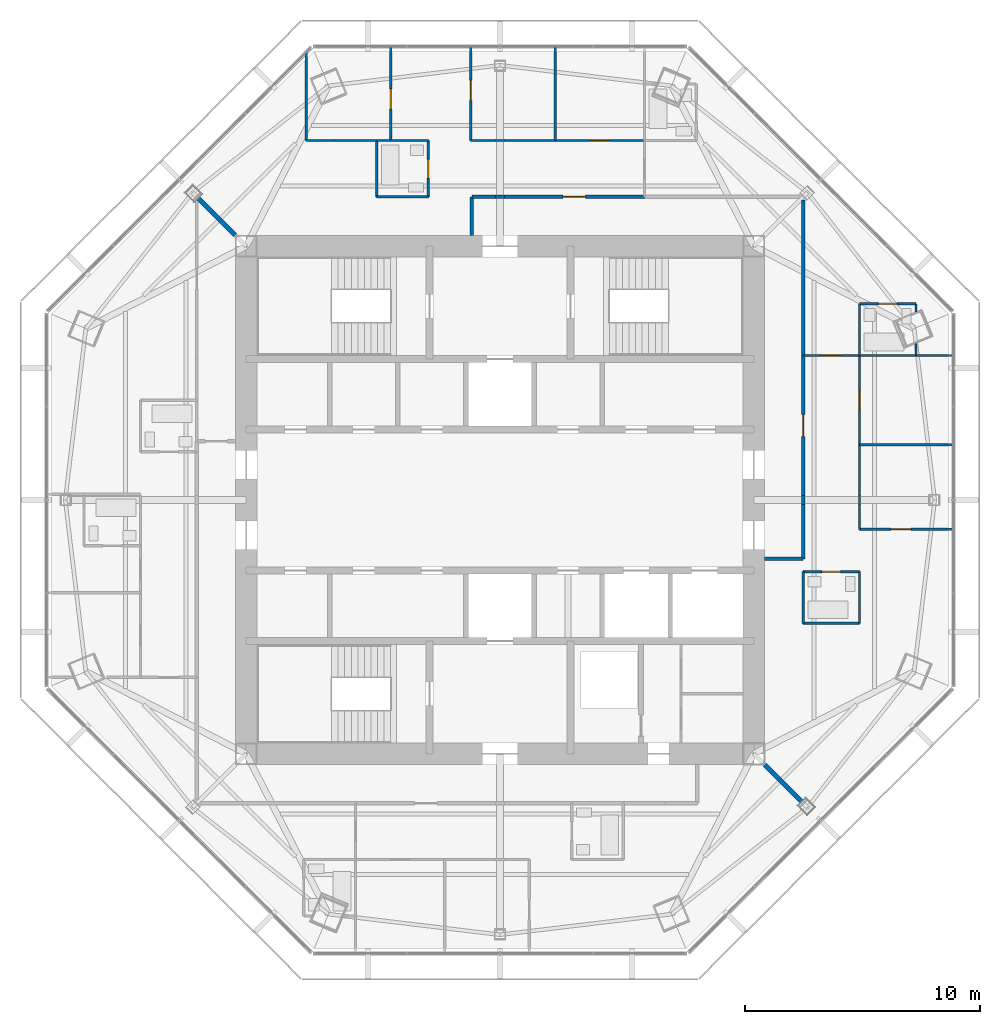
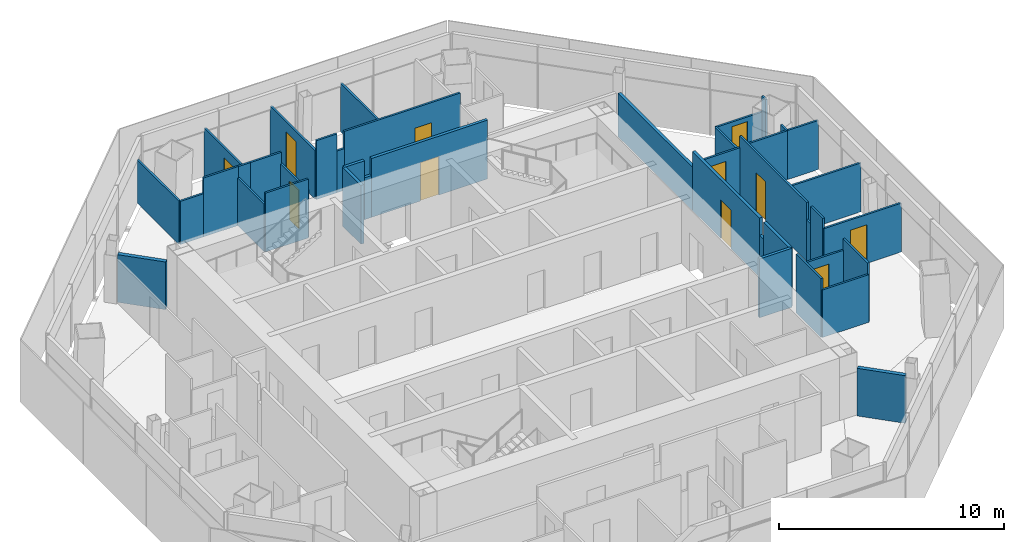
# One storey, part 11 of 15: 41 walls, 11 doors, 11 openings.
"""IFC4 building model written with IfcOpenShell, lengths in metres."""

from ifc_helpers import new_model, si_unit, direction, frame, frame_2d, origin, place, context, subcontext, project, spatial, rectangle, extrude, material, layer, layer_set, type_object, element, fill, save


model = new_model("IFC4")

# Units and contexts
model_context = context("Model", 3, precision=1e-05, world=origin(), true_north=direction((0.0, 1.0)))
body_context = subcontext(model_context, "Body", "Model", "MODEL_VIEW")
ifc_project = project(units=[si_unit("LENGTHUNIT", "METRE"), si_unit("AREAUNIT", "SQUARE_METRE"), si_unit("VOLUMEUNIT", "CUBIC_METRE"), si_unit("PLANEANGLEUNIT", "RADIAN"), si_unit("MASSUNIT", "GRAM", prefix="KILO")], contexts=[model_context])

# Site, building, storey
site_placement = place(None, origin())
site = spatial("IfcSite", under=ifc_project, at=site_placement, CompositionType="ELEMENT")
building_placement = place(site_placement, origin())
building = spatial("IfcBuilding", under=site, at=building_placement, Name="Mashrafa Tower", CompositionType="ELEMENT")
storey_placement = place(building_placement, frame((0.0, 0.0, 308.199951171875)))
storey = spatial("IfcBuildingStorey", under=building, at=storey_placement, Name="L76", CompositionType="ELEMENT", Elevation=308.199951171875)

# Walls
ifc_material_1 = material(Name="Gypsum board on steel studs", Category="steel")
ifc_layer_1 = layer(ifc_material_1, 0.199951171875)
ifc_layer_set_1 = layer_set([ifc_layer_1], Name="Acoustic partition 200 1 hr")
wall_type_1 = type_object("IfcWallType", Name="Acoustic partition 200 1 hr", PredefinedType="PARTITIONING", material=ifc_layer_set_1)
for number, where, z_axis, x_axis, name in (
    (1, (11.26904296875, -11.26904296875, 0.0), (0.0, 0.0, 1.0), (0.707106781187, -0.707106781187, 0.0), "Acoustic wall L76-047"),
    (2, (-12.838134765625, 12.838134765625, 0.0), (0.0, 0.0, 1.0), (0.707106781187, -0.707106781187, 0.0), "Acoustic wall L76-065"),
):
    element("IfcWall", number, at=place(storey_placement, frame(where, z_axis=z_axis, x_axis=x_axis)), inside=storey, type_object=wall_type_1, Name=name, PredefinedType="PARTITIONING", context=body_context, shape_type="SweptSolid", body=[
        extrude(rectangle(XDim=2.218994140625, YDim=0.199951171875, at=frame_2d((1.109375, 0.0))), origin(), (0.0, 0.0, 1.0), 2.590576171875),
    ])
ifc_material_2 = material(Name="Gypsum board on steel studs", Category="steel")
ifc_layer_2 = layer(ifc_material_2, 0.14990234375)
ifc_layer_set_2 = layer_set([ifc_layer_2], Name="Corridor partition 150 1 hr")
wall_type_2 = type_object("IfcWallType", Name="Corridor partition 150 1 hr", PredefinedType="PARTITIONING", material=ifc_layer_set_2)
wall_1_placement = place(storey_placement, frame((12.89990234375, 6.14892578125, 0.0), z_axis=(0.0, 0.0, 1.0), x_axis=(0.0, 1.0, 0.0)))
element("IfcWall", 3, at=wall_1_placement, inside=storey, type_object=wall_type_2, Name="Corridor wall L76-001", PredefinedType="PARTITIONING", context=body_context, shape_type="SweptSolid", body=[
    extrude(rectangle(XDim=6.62744140625, YDim=0.14990234375, at=frame_2d((3.313720703125, 0.0))), origin(), (0.0, 0.0, 1.0), 2.349365234375),
])
wall_2_placement = place(storey_placement, frame((11.25, -2.5, 0.0), z_axis=(0.0, 0.0, 1.0), x_axis=(1.0, 0.0, 0.0)))
element("IfcWall", 4, at=wall_2_placement, inside=storey, type_object=wall_type_2, Name="Corridor wall L76-002", PredefinedType="PARTITIONING", context=body_context, shape_type="SweptSolid", body=[
    extrude(rectangle(XDim=1.64990234375, YDim=0.14990234375, at=frame_2d((0.824951171875, 0.0))), origin(), (0.0, 0.0, 1.0), 3.199951171875),
])
wall_3_placement = place(storey_placement, frame((12.89990234375, -2.5, 0.0), z_axis=(0.0, 0.0, 1.0), x_axis=(0.0, 1.0, 0.0)))
element("IfcWall", 5, at=wall_3_placement, inside=storey, type_object=wall_type_2, Name="Corridor wall L76-003", PredefinedType="PARTITIONING", context=body_context, shape_type="SweptSolid", body=[
    extrude(rectangle(XDim=2.317626953125, YDim=0.14990234375, at=frame_2d((1.15869140625, 0.0))), origin(), (0.0, 0.0, 1.0), 3.199951171875),
])

# Wall, opening, door
wall_4_placement = place(storey_placement, frame((12.89990234375, 0.182373046875, 0.0), z_axis=(0.0, 0.0, 1.0), x_axis=(0.0, 1.0, 0.0)))
wall_4 = element("IfcWall", 6, at=wall_4_placement, inside=storey, type_object=wall_type_2, Name="Corridor wall L76-004", PredefinedType="PARTITIONING", context=body_context, shape_type="SweptSolid", body=[
    extrude(rectangle(XDim=5.968505859375, YDim=0.14990234375, at=frame_2d((2.984375, 0.0))), origin(), (0.0, 0.0, 1.0), 3.199951171875),
])
opening_1_placement = place(wall_4_placement, frame((2.50927734375, 0.0, 0.0)))
opening_1 = element("IfcOpeningElement", 7, at=opening_1_placement, cuts=wall_4, Name="Opening 76.007", PredefinedType="OPENING", context=body_context, shape_type="SweptSolid", body=[
    extrude(rectangle(XDim=0.949951171875, YDim=2.10009765625, at=frame_2d((0.47509765625, 1.050048828125))), frame((0.0, 0.0849609375, 0.0), z_axis=(0.0, -1.0, 0.0), x_axis=(1.0, 0.0, 0.0)), (0.0, 0.0, 1.0), 0.169921875),
])
ifc_material_3 = material(Name="Steel door", Category="steel")
door_type_1 = type_object("IfcDoorType", Name="Residence entrance door 950 x 2100 20 min", OperationType="USERDEFINED", PredefinedType="DOOR", material=ifc_material_3)
door_1_placement = place(opening_1_placement, frame((0.949951171875, 0.0, 0.0), z_axis=(0.0, 0.0, 1.0), x_axis=(-1.0, 0.0, 0.0)))
door_1 = element("IfcDoor", 8, at=door_1_placement, inside=storey, type_object=door_type_1, Name="Apartment 7601 Living Room door", OperationType="SINGLE_SWING_LEFT", OverallHeight=2.10009765625, OverallWidth=0.949951171875, PredefinedType="DOOR", context=body_context, shape_type="SweptSolid", body=[
    extrude(rectangle(XDim=0.949951171875, YDim=2.10009765625, at=frame_2d((0.47509765625, 1.050048828125))), frame((0.0, 0.02490234375, 0.0), z_axis=(0.0, -1.0, 0.0), x_axis=(1.0, 0.0, 0.0)), (0.0, 0.0, 1.0), 0.050048828125),
])
fill(opening_1, door_1)

# Wall
wall_5_placement = place(storey_placement, frame((12.89990234375, -0.182373046875, 0.0), z_axis=(0.0, 0.0, 1.0), x_axis=(0.0, 1.0, 0.0)))
element("IfcWall", 9, at=wall_5_placement, inside=storey, type_object=wall_type_2, Name="Corridor wall L76-005", PredefinedType="PARTITIONING", context=body_context, shape_type="SweptSolid", body=[
    extrude(rectangle(XDim=0.36474609375, YDim=0.14990234375, at=frame_2d((0.182373046875, 0.0))), origin(), (0.0, 0.0, 1.0), 2.26806640625),
])

# Wall, opening, door
wall_6_placement = place(storey_placement, frame((6.15087890625, 12.89990234375, 0.0), z_axis=(0.0, 0.0, 1.0), x_axis=(-1.0, 0.0, 0.0)))
wall_6 = element("IfcWall", 10, at=wall_6_placement, inside=storey, type_object=wall_type_2, Name="Corridor wall L76-007", PredefinedType="PARTITIONING", context=body_context, shape_type="SweptSolid", body=[
    extrude(rectangle(XDim=5.968505859375, YDim=0.14990234375, at=frame_2d((2.984375, 0.0))), origin(), (0.0, 0.0, 1.0), 3.199951171875),
])
opening_2_placement = place(wall_6_placement, frame((2.50927734375, 0.0, 0.0)))
opening_2 = element("IfcOpeningElement", 11, at=opening_2_placement, cuts=wall_6, Name="Opening 76.013", PredefinedType="OPENING", context=body_context, shape_type="SweptSolid", body=[
    extrude(rectangle(XDim=0.949951171875, YDim=2.10009765625, at=frame_2d((0.47509765625, 1.050048828125))), frame((0.0, 0.0849609375, 0.0), z_axis=(0.0, -1.0, 0.0), x_axis=(1.0, 0.0, 0.0)), (0.0, 0.0, 1.0), 0.169921875),
])
door_2_placement = place(opening_2_placement, frame((0.949951171875, 0.0, 0.0), z_axis=(0.0, 0.0, 1.0), x_axis=(-1.0, 0.0, 0.0)))
door_2 = element("IfcDoor", 12, at=door_2_placement, inside=storey, type_object=door_type_1, Name="Apartment 7602 Living Room door", OperationType="SINGLE_SWING_RIGHT", OverallHeight=2.10009765625, OverallWidth=0.949951171875, PredefinedType="DOOR", context=body_context, shape_type="SweptSolid", body=[
    extrude(rectangle(XDim=0.949951171875, YDim=2.10009765625, at=frame_2d((0.47509765625, 1.050048828125))), frame((0.0, 0.02490234375, 0.0), z_axis=(0.0, -1.0, 0.0), x_axis=(1.0, 0.0, 0.0)), (0.0, 0.0, 1.0), 0.050048828125),
])
fill(opening_2, door_2)

# Walls
wall_7_placement = place(storey_placement, frame((-0.182373046875, 12.89990234375, 0.0), z_axis=(0.0, 0.0, 1.0), x_axis=(-1.0, 0.0, 0.0)))
element("IfcWall", 13, at=wall_7_placement, inside=storey, type_object=wall_type_2, Name="Corridor wall L76-008", PredefinedType="PARTITIONING", context=body_context, shape_type="SweptSolid", body=[
    extrude(rectangle(XDim=1.017578125, YDim=0.14990234375, at=frame_2d((0.5087890625, 0.0))), origin(), (0.0, 0.0, 1.0), 3.199951171875),
])
wall_8_placement = place(storey_placement, frame((0.182373046875, 12.89990234375, 0.0), z_axis=(0.0, 0.0, 1.0), x_axis=(-1.0, 0.0, 0.0)))
element("IfcWall", 14, at=wall_8_placement, inside=storey, type_object=wall_type_2, Name="Corridor wall L76-009", PredefinedType="PARTITIONING", context=body_context, shape_type="SweptSolid", body=[
    extrude(rectangle(XDim=0.36474609375, YDim=0.14990234375, at=frame_2d((0.182373046875, 0.0))), origin(), (0.0, 0.0, 1.0), 2.26806640625),
])
wall_9_placement = place(storey_placement, frame((-1.199951171875, 12.89990234375, 0.0), z_axis=(0.0, 0.0, 1.0), x_axis=(0.0, -1.0, 0.0)))
element("IfcWall", 15, at=wall_9_placement, inside=storey, type_object=wall_type_2, Name="Corridor wall L76-010", PredefinedType="PARTITIONING", context=body_context, shape_type="SweptSolid", body=[
    extrude(rectangle(XDim=1.64990234375, YDim=0.14990234375, at=frame_2d((0.824951171875, 0.0))), origin(), (0.0, 0.0, 1.0), 3.199951171875),
])
ifc_material_4 = material(Name="Gypsum board on steel studs", Category="steel")
ifc_layer_3 = layer(ifc_material_4, 0.10009765625)
ifc_layer_set_3 = layer_set([ifc_layer_3], Name="Partition 100")
wall_type_3 = type_object("IfcWallType", Name="Partition 100", PredefinedType="PARTITIONING", material=ifc_layer_set_3)
wall_10_placement = place(storey_placement, frame((-7.051025390625, 15.300048828125, 0.0), z_axis=(0.0, 0.0, 1.0), x_axis=(1.0, 0.0, 0.0)))
element("IfcWall", 16, at=wall_10_placement, inside=storey, type_object=wall_type_3, Name="Partition wall L76-025", PredefinedType="PARTITIONING", context=body_context, shape_type="SweptSolid", body=[
    extrude(rectangle(XDim=1.802001953125, YDim=0.10009765625, at=frame_2d((0.90087890625, 0.0))), origin(), (0.0, 0.0, 1.0), 3.199951171875),
])
wall_11_placement = place(storey_placement, frame((-5.2509765625, 15.300048828125, 0.0), z_axis=(0.0, 0.0, 1.0), x_axis=(1.0, 0.0, 0.0)))
element("IfcWall", 17, at=wall_11_placement, inside=storey, type_object=wall_type_3, Name="Partition wall L76-026", PredefinedType="PARTITIONING", context=body_context, shape_type="SweptSolid", body=[
    extrude(rectangle(XDim=0.60107421875, YDim=0.10009765625, at=frame_2d((0.300537109375, 0.0))), origin(), (0.0, 0.0, 1.0), 3.199951171875),
])
wall_12_placement = place(storey_placement, frame((-8.25, 19.01513671875, 0.0), z_axis=(0.0, 0.0, 1.0), x_axis=(0.0, -1.0, 0.0)))
element("IfcWall", 18, at=wall_12_placement, inside=storey, type_object=wall_type_3, Name="Partition wall L76-027", PredefinedType="PARTITIONING", context=body_context, shape_type="SweptSolid", body=[
    extrude(rectangle(XDim=3.715087890625, YDim=0.10009765625, at=frame_2d((1.857421875, 0.0))), origin(), (0.0, 0.0, 1.0), 2.349365234375),
])
wall_13_placement = place(storey_placement, frame((-8.25, 15.300048828125, 0.0), z_axis=(0.0, 0.0, 1.0), x_axis=(1.0, 0.0, 0.0)))
element("IfcWall", 19, at=wall_13_placement, inside=storey, type_object=wall_type_3, Name="Partition wall L76-028", PredefinedType="PARTITIONING", context=body_context, shape_type="SweptSolid", body=[
    extrude(rectangle(XDim=1.200927734375, YDim=0.10009765625, at=frame_2d((0.6005859375, 0.0))), origin(), (0.0, 0.0, 1.0), 2.349365234375),
])

# Wall, opening, door
wall_14_placement = place(storey_placement, frame((-4.64990234375, 15.300048828125, 0.0), z_axis=(0.0, 0.0, 1.0), x_axis=(0.0, 1.0, 0.0)))
wall_14 = element("IfcWall", 20, at=wall_14_placement, inside=storey, type_object=wall_type_3, Name="Partition wall L76-029", PredefinedType="PARTITIONING", context=body_context, shape_type="SweptSolid", body=[
    extrude(rectangle(XDim=3.980224609375, YDim=0.10009765625, at=frame_2d((1.990234375, 0.0))), origin(), (0.0, 0.0, 1.0), 2.65673828125),
])
opening_3_placement = place(wall_14_placement, frame((1.34814453125, 0.0, 0.0)))
opening_3 = element("IfcOpeningElement", 21, at=opening_3_placement, cuts=wall_14, Name="Opening 76.001", PredefinedType="OPENING", context=body_context, shape_type="SweptSolid", body=[
    extrude(rectangle(XDim=0.85009765625, YDim=2.10009765625, at=frame_2d((0.425048828125, 1.050048828125))), frame((0.0, 0.06005859375, 0.0), z_axis=(0.0, -1.0, 0.0), x_axis=(1.0, 0.0, 0.0)), (0.0, 0.0, 1.0), 0.1201171875),
])
ifc_material_5 = material(Name="Timber door", Category="wood")
door_type_2 = type_object("IfcDoorType", Name="Bedroom door 850 x 2100", OperationType="USERDEFINED", PredefinedType="DOOR", material=ifc_material_5)
door_3_placement = place(opening_3_placement, origin())
door_3 = element("IfcDoor", 22, at=door_3_placement, inside=storey, type_object=door_type_2, Name="Apartment 7602 Dining Room door", OperationType="SINGLE_SWING_RIGHT", OverallHeight=2.10009765625, OverallWidth=0.85009765625, PredefinedType="DOOR", context=body_context, shape_type="SweptSolid", body=[
    extrude(rectangle(XDim=0.85009765625, YDim=2.10009765625, at=frame_2d((0.425048828125, 1.050048828125))), frame((0.0, 0.02490234375, 0.0), z_axis=(0.0, -1.0, 0.0), x_axis=(1.0, 0.0, 0.0)), (0.0, 0.0, 1.0), 0.050048828125),
])
fill(opening_3, door_3)

# Walls
wall_15_placement = place(storey_placement, frame((15.300048828125, -5.25, 0.0), z_axis=(0.0, 0.0, 1.0), x_axis=(-1.0, 0.0, 0.0)))
element("IfcWall", 23, at=wall_15_placement, inside=storey, type_object=wall_type_3, Name="Partition wall L76-030", PredefinedType="PARTITIONING", context=body_context, shape_type="SweptSolid", body=[
    extrude(rectangle(XDim=2.400146484375, YDim=0.10009765625, at=frame_2d((1.2001953125, 0.0))), origin(), (0.0, 0.0, 1.0), 2.588134765625),
])
wall_16_placement = place(storey_placement, frame((15.300048828125, -5.25, 0.0), z_axis=(0.0, 0.0, 1.0), x_axis=(0.0, 1.0, 0.0)))
element("IfcWall", 24, at=wall_16_placement, inside=storey, type_object=wall_type_3, Name="Partition wall L76-031", PredefinedType="PARTITIONING", context=body_context, shape_type="SweptSolid", body=[
    extrude(rectangle(XDim=2.199951171875, YDim=0.10009765625, at=frame_2d((1.10009765625, 0.0))), origin(), (0.0, 0.0, 1.0), 3.199951171875),
])

# Wall, opening, door
wall_17_placement = place(storey_placement, frame((15.300048828125, -3.050048828125, 0.0), z_axis=(0.0, 0.0, 1.0), x_axis=(-1.0, 0.0, 0.0)))
wall_17 = element("IfcWall", 25, at=wall_17_placement, inside=storey, type_object=wall_type_3, Name="Partition wall L76-032", PredefinedType="PARTITIONING", context=body_context, shape_type="SweptSolid", body=[
    extrude(rectangle(XDim=2.400146484375, YDim=0.10009765625, at=frame_2d((1.2001953125, 0.0))), origin(), (0.0, 0.0, 1.0), 2.588134765625),
])
opening_4_placement = place(wall_17_placement, frame((0.800048828125, 0.0, 0.0)))
opening_4 = element("IfcOpeningElement", 26, at=opening_4_placement, cuts=wall_17, Name="Opening 76.002", PredefinedType="OPENING", context=body_context, shape_type="SweptSolid", body=[
    extrude(rectangle(XDim=0.800048828125, YDim=2.10009765625, at=frame_2d((0.39990234375, 1.050048828125))), frame((0.0, 0.06005859375, 0.0), z_axis=(0.0, -1.0, 0.0), x_axis=(1.0, 0.0, 0.0)), (0.0, 0.0, 1.0), 0.1201171875),
])
ifc_material_6 = material(Name="Timber door", Category="wood")
door_type_3 = type_object("IfcDoorType", Name="Bathroom door 800 x 2100", OperationType="USERDEFINED", PredefinedType="DOOR", material=ifc_material_6)
door_4_placement = place(opening_4_placement, origin())
door_4 = element("IfcDoor", 27, at=door_4_placement, inside=storey, type_object=door_type_3, Name="Apartment 7601 Bathroom door", OperationType="SINGLE_SWING_RIGHT", OverallHeight=2.10009765625, OverallWidth=0.800048828125, PredefinedType="DOOR", context=body_context, shape_type="SweptSolid", body=[
    extrude(rectangle(XDim=0.800048828125, YDim=2.10009765625, at=frame_2d((0.39990234375, 1.050048828125))), frame((0.0, 0.02490234375, 0.0), z_axis=(0.0, -1.0, 0.0), x_axis=(1.0, 0.0, 0.0)), (0.0, 0.0, 1.0), 0.050048828125),
])
fill(opening_4, door_4)

# Walls
wall_18_placement = place(storey_placement, frame((12.89990234375, -3.050048828125, 0.0), z_axis=(0.0, 0.0, 1.0), x_axis=(0.0, -1.0, 0.0)))
element("IfcWall", 28, at=wall_18_placement, inside=storey, type_object=wall_type_3, Name="Partition wall L76-033", PredefinedType="PARTITIONING", context=body_context, shape_type="SweptSolid", body=[
    extrude(rectangle(XDim=2.199951171875, YDim=0.10009765625, at=frame_2d((1.10009765625, 0.0))), origin(), (0.0, 0.0, 1.0), 3.199951171875),
])
wall_19_placement = place(storey_placement, frame((19.2783203125, 2.35009765625, 0.0), z_axis=(0.0, 0.0, 1.0), x_axis=(-1.0, 0.0, 0.0)))
element("IfcWall", 29, at=wall_19_placement, inside=storey, type_object=wall_type_3, Name="Partition wall L76-034", PredefinedType="PARTITIONING", context=body_context, shape_type="SweptSolid", body=[
    extrude(rectangle(XDim=3.978271484375, YDim=0.10009765625, at=frame_2d((1.9892578125, 0.0))), origin(), (0.0, 0.0, 1.0), 2.65673828125),
])

# Wall, opening, door
wall_20_placement = place(storey_placement, frame((15.300048828125, 0.182373046875, 0.0), z_axis=(0.0, 0.0, 1.0), x_axis=(0.0, 1.0, 0.0)))
wall_20 = element("IfcWall", 30, at=wall_20_placement, inside=storey, type_object=wall_type_3, Name="Partition wall L76-035", PredefinedType="PARTITIONING", context=body_context, shape_type="SweptSolid", body=[
    extrude(rectangle(XDim=5.967529296875, YDim=0.10009765625, at=frame_2d((2.98388671875, 0.0))), origin(), (0.0, 0.0, 1.0), 3.199951171875),
])
opening_5_placement = place(wall_20_placement, frame((3.642578125, 0.0, 0.0)))
opening_5 = element("IfcOpeningElement", 31, at=opening_5_placement, cuts=wall_20, Name="Opening 76.004", PredefinedType="OPENING", context=body_context, shape_type="SweptSolid", body=[
    extrude(rectangle(XDim=0.85009765625, YDim=2.10009765625, at=frame_2d((0.425048828125, 1.050048828125))), frame((0.0, 0.06005859375, 0.0), z_axis=(0.0, -1.0, 0.0), x_axis=(1.0, 0.0, 0.0)), (0.0, 0.0, 1.0), 0.1201171875),
])
door_5_placement = place(opening_5_placement, frame((0.85009765625, 0.0, 0.0), z_axis=(0.0, 0.0, 1.0), x_axis=(-1.0, 0.0, 0.0)))
door_5 = element("IfcDoor", 32, at=door_5_placement, inside=storey, type_object=door_type_2, Name="Apartment 7601 Bedroom 1 door", OperationType="SINGLE_SWING_RIGHT", OverallHeight=2.10009765625, OverallWidth=0.85009765625, PredefinedType="DOOR", context=body_context, shape_type="SweptSolid", body=[
    extrude(rectangle(XDim=0.85009765625, YDim=2.10009765625, at=frame_2d((0.425048828125, 1.050048828125))), frame((0.0, 0.02490234375, 0.0), z_axis=(0.0, -1.0, 0.0), x_axis=(1.0, 0.0, 0.0)), (0.0, 0.0, 1.0), 0.050048828125),
])
fill(opening_5, door_5)

# Walls
wall_21_placement = place(storey_placement, frame((15.300048828125, -0.182373046875, 0.0), z_axis=(0.0, 0.0, 1.0), x_axis=(0.0, -1.0, 0.0)))
element("IfcWall", 33, at=wall_21_placement, inside=storey, type_object=wall_type_3, Name="Partition wall L76-036", PredefinedType="PARTITIONING", context=body_context, shape_type="SweptSolid", body=[
    extrude(rectangle(XDim=1.067626953125, YDim=0.10009765625, at=frame_2d((0.53369140625, 0.0))), origin(), (0.0, 0.0, 1.0), 3.199951171875),
])
wall_22_placement = place(storey_placement, frame((15.300048828125, 0.182373046875, 0.0), z_axis=(0.0, 0.0, 1.0), x_axis=(0.0, -1.0, 0.0)))
element("IfcWall", 34, at=wall_22_placement, inside=storey, type_object=wall_type_3, Name="Partition wall L76-037", PredefinedType="PARTITIONING", context=body_context, shape_type="SweptSolid", body=[
    extrude(rectangle(XDim=0.36474609375, YDim=0.10009765625, at=frame_2d((0.182373046875, 0.0))), origin(), (0.0, 0.0, 1.0), 2.26806640625),
])

# Wall, opening, door
wall_23_placement = place(storey_placement, frame((15.300048828125, -1.25, 0.0), z_axis=(0.0, 0.0, 1.0), x_axis=(1.0, 0.0, 0.0)))
wall_23 = element("IfcWall", 35, at=wall_23_placement, inside=storey, type_object=wall_type_3, Name="Partition wall L76-038", PredefinedType="PARTITIONING", context=body_context, shape_type="SweptSolid", body=[
    extrude(rectangle(XDim=3.980224609375, YDim=0.10009765625, at=frame_2d((1.990234375, 0.0))), origin(), (0.0, 0.0, 1.0), 2.65673828125),
])
opening_6_placement = place(wall_23_placement, frame((1.34814453125, 0.0, 0.0)))
opening_6 = element("IfcOpeningElement", 36, at=opening_6_placement, cuts=wall_23, Name="Opening 76.003", PredefinedType="OPENING", context=body_context, shape_type="SweptSolid", body=[
    extrude(rectangle(XDim=0.85009765625, YDim=2.10009765625, at=frame_2d((0.425048828125, 1.050048828125))), frame((0.0, 0.06005859375, 0.0), z_axis=(0.0, -1.0, 0.0), x_axis=(1.0, 0.0, 0.0)), (0.0, 0.0, 1.0), 0.1201171875),
])
door_6_placement = place(opening_6_placement, origin())
door_6 = element("IfcDoor", 37, at=door_6_placement, inside=storey, type_object=door_type_2, Name="Apartment 7601 Majlis door", OperationType="SINGLE_SWING_RIGHT", OverallHeight=2.10009765625, OverallWidth=0.85009765625, PredefinedType="DOOR", context=body_context, shape_type="SweptSolid", body=[
    extrude(rectangle(XDim=0.85009765625, YDim=2.10009765625, at=frame_2d((0.425048828125, 1.050048828125))), frame((0.0, 0.02490234375, 0.0), z_axis=(0.0, -1.0, 0.0), x_axis=(1.0, 0.0, 0.0)), (0.0, 0.0, 1.0), 0.050048828125),
])
fill(opening_6, door_6)

# Walls
wall_24_placement = place(storey_placement, frame((17.700927734375, 6.14990234375, 0.0), z_axis=(0.0, 0.0, 1.0), x_axis=(-1.0, 0.0, 0.0)))
element("IfcWall", 38, at=wall_24_placement, inside=storey, type_object=wall_type_3, Name="Partition wall L76-039", PredefinedType="PARTITIONING", context=body_context, shape_type="SweptSolid", body=[
    extrude(rectangle(XDim=2.40087890625, YDim=0.10009765625, at=frame_2d((1.200439453125, 0.0))), origin(), (0.0, 0.0, 1.0), 2.65673828125),
])
wall_25_placement = place(storey_placement, frame((19.2783203125, 6.14990234375, 0.0), z_axis=(0.0, 0.0, 1.0), x_axis=(-1.0, 0.0, 0.0)))
element("IfcWall", 39, at=wall_25_placement, inside=storey, type_object=wall_type_3, Name="Partition wall L76-040", PredefinedType="PARTITIONING", context=body_context, shape_type="SweptSolid", body=[
    extrude(rectangle(XDim=1.579345703125, YDim=0.10009765625, at=frame_2d((0.78955078125, 0.0))), origin(), (0.0, 0.0, 1.0), 2.664306640625),
])
wall_26_placement = place(storey_placement, frame((17.699951171875, 6.14990234375, 0.0), z_axis=(0.0, 0.0, 1.0), x_axis=(0.0, 1.0, 0.0)))
element("IfcWall", 40, at=wall_26_placement, inside=storey, type_object=wall_type_3, Name="Partition wall L76-042", PredefinedType="PARTITIONING", context=body_context, shape_type="SweptSolid", body=[
    extrude(rectangle(XDim=0.51171875, YDim=0.10009765625, at=frame_2d((0.255859375, 0.0))), origin(), (0.0, 0.0, 1.0), 2.664306640625),
])
wall_27_placement = place(storey_placement, frame((17.699951171875, 8.001708984375, 0.0), z_axis=(0.0, 0.0, 1.0), x_axis=(0.0, 1.0, 0.0)))
element("IfcWall", 41, at=wall_27_placement, inside=storey, type_object=wall_type_3, Name="Partition wall L76-043", PredefinedType="PARTITIONING", context=body_context, shape_type="SweptSolid", body=[
    extrude(rectangle(XDim=0.348388671875, YDim=0.10009765625, at=frame_2d((0.17431640625, 0.0))), origin(), (0.0, 0.0, 1.0), 3.199951171875),
])

# Wall, opening, door
wall_28_placement = place(storey_placement, frame((17.699951171875, 8.35009765625, 0.0), z_axis=(0.0, 0.0, 1.0), x_axis=(-1.0, 0.0, 0.0)))
wall_28 = element("IfcWall", 42, at=wall_28_placement, inside=storey, type_object=wall_type_3, Name="Partition wall L76-044", PredefinedType="PARTITIONING", context=body_context, shape_type="SweptSolid", body=[
    extrude(rectangle(XDim=2.39990234375, YDim=0.10009765625, at=frame_2d((1.199951171875, 0.0))), origin(), (0.0, 0.0, 1.0), 2.349365234375),
])
opening_7_placement = place(wall_28_placement, frame((0.800048828125, 0.0, 0.0)))
opening_7 = element("IfcOpeningElement", 43, at=opening_7_placement, cuts=wall_28, Name="Opening 76.005", PredefinedType="OPENING", context=body_context, shape_type="SweptSolid", body=[
    extrude(rectangle(XDim=0.800048828125, YDim=2.10009765625, at=frame_2d((0.39990234375, 1.050048828125))), frame((0.0, 0.06005859375, 0.0), z_axis=(0.0, -1.0, 0.0), x_axis=(1.0, 0.0, 0.0)), (0.0, 0.0, 1.0), 0.1201171875),
])
door_7_placement = place(opening_7_placement, origin())
door_7 = element("IfcDoor", 44, at=door_7_placement, inside=storey, type_object=door_type_3, Name="Apartment 7601 En-suite Bathroom door", OperationType="SINGLE_SWING_RIGHT", OverallHeight=2.10009765625, OverallWidth=0.800048828125, PredefinedType="DOOR", context=body_context, shape_type="SweptSolid", body=[
    extrude(rectangle(XDim=0.800048828125, YDim=2.10009765625, at=frame_2d((0.39990234375, 1.050048828125))), frame((0.0, 0.02490234375, 0.0), z_axis=(0.0, -1.0, 0.0), x_axis=(1.0, 0.0, 0.0)), (0.0, 0.0, 1.0), 0.050048828125),
])
fill(opening_7, door_7)

# Wall
wall_29_placement = place(storey_placement, frame((15.300048828125, 8.35009765625, 0.0), z_axis=(0.0, 0.0, 1.0), x_axis=(0.0, -1.0, 0.0)))
element("IfcWall", 45, at=wall_29_placement, inside=storey, type_object=wall_type_3, Name="Partition wall L76-045", PredefinedType="PARTITIONING", context=body_context, shape_type="SweptSolid", body=[
    extrude(rectangle(XDim=2.2001953125, YDim=0.10009765625, at=frame_2d((1.10009765625, 0.0))), origin(), (0.0, 0.0, 1.0), 2.349365234375),
])

# Wall, opening, door
wall_30_placement = place(storey_placement, frame((12.89990234375, 6.14990234375, 0.0), z_axis=(0.0, 0.0, 1.0), x_axis=(1.0, 0.0, 0.0)))
wall_30 = element("IfcWall", 46, at=wall_30_placement, inside=storey, type_object=wall_type_3, Name="Partition wall L76-046", PredefinedType="PARTITIONING", context=body_context, shape_type="SweptSolid", body=[
    extrude(rectangle(XDim=2.400146484375, YDim=0.10009765625, at=frame_2d((1.2001953125, 0.0))), origin(), (0.0, 0.0, 1.0), 2.588134765625),
])
opening_8_placement = place(wall_30_placement, frame((0.77490234375, 0.0, 0.0)))
opening_8 = element("IfcOpeningElement", 47, at=opening_8_placement, cuts=wall_30, Name="Opening 76.006", PredefinedType="OPENING", context=body_context, shape_type="SweptSolid", body=[
    extrude(rectangle(XDim=0.85009765625, YDim=2.10009765625, at=frame_2d((0.425048828125, 1.050048828125))), frame((0.0, 0.06005859375, 0.0), z_axis=(0.0, -1.0, 0.0), x_axis=(1.0, 0.0, 0.0)), (0.0, 0.0, 1.0), 0.1201171875),
])
door_8_placement = place(opening_8_placement, origin())
door_8 = element("IfcDoor", 48, at=door_8_placement, inside=storey, type_object=door_type_2, Name="Apartment 7601 Bedroom 2 door", OperationType="SINGLE_SWING_LEFT", OverallHeight=2.10009765625, OverallWidth=0.85009765625, PredefinedType="DOOR", context=body_context, shape_type="SweptSolid", body=[
    extrude(rectangle(XDim=0.85009765625, YDim=2.10009765625, at=frame_2d((0.425048828125, 1.050048828125))), frame((0.0, 0.02490234375, 0.0), z_axis=(0.0, -1.0, 0.0), x_axis=(1.0, 0.0, 0.0)), (0.0, 0.0, 1.0), 0.050048828125),
])
fill(opening_8, door_8)

# Walls
wall_31_placement = place(storey_placement, frame((-5.25, 12.89990234375, 0.0), z_axis=(0.0, 0.0, 1.0), x_axis=(0.0, 1.0, 0.0)))
element("IfcWall", 49, at=wall_31_placement, inside=storey, type_object=wall_type_3, Name="Partition wall L76-048", PredefinedType="PARTITIONING", context=body_context, shape_type="SweptSolid", body=[
    extrude(rectangle(XDim=2.400146484375, YDim=0.10009765625, at=frame_2d((1.2001953125, 0.0))), origin(), (0.0, 0.0, 1.0), 2.588134765625),
])
wall_32_placement = place(storey_placement, frame((-5.25, 12.89990234375, 0.0), z_axis=(0.0, 0.0, 1.0), x_axis=(1.0, 0.0, 0.0)))
element("IfcWall", 50, at=wall_32_placement, inside=storey, type_object=wall_type_3, Name="Partition wall L76-049", PredefinedType="PARTITIONING", context=body_context, shape_type="SweptSolid", body=[
    extrude(rectangle(XDim=2.199951171875, YDim=0.10009765625, at=frame_2d((1.10009765625, 0.0))), origin(), (0.0, 0.0, 1.0), 3.199951171875),
])

# Wall, opening, door
wall_33_placement = place(storey_placement, frame((-3.050048828125, 12.89990234375, 0.0), z_axis=(0.0, 0.0, 1.0), x_axis=(0.0, 1.0, 0.0)))
wall_33 = element("IfcWall", 51, at=wall_33_placement, inside=storey, type_object=wall_type_3, Name="Partition wall L76-050", PredefinedType="PARTITIONING", context=body_context, shape_type="SweptSolid", body=[
    extrude(rectangle(XDim=2.400146484375, YDim=0.10009765625, at=frame_2d((1.2001953125, 0.0))), origin(), (0.0, 0.0, 1.0), 2.588134765625),
])
opening_9_placement = place(wall_33_placement, frame((0.800048828125, 0.0, 0.0)))
opening_9 = element("IfcOpeningElement", 52, at=opening_9_placement, cuts=wall_33, Name="Opening 76.008", PredefinedType="OPENING", context=body_context, shape_type="SweptSolid", body=[
    extrude(rectangle(XDim=0.800048828125, YDim=2.10009765625, at=frame_2d((0.39990234375, 1.050048828125))), frame((0.0, 0.06005859375, 0.0), z_axis=(0.0, -1.0, 0.0), x_axis=(1.0, 0.0, 0.0)), (0.0, 0.0, 1.0), 0.1201171875),
])
door_9_placement = place(opening_9_placement, origin())
door_9 = element("IfcDoor", 53, at=door_9_placement, inside=storey, type_object=door_type_3, Name="Apartment 7602 Bathroom door", OperationType="SINGLE_SWING_LEFT", OverallHeight=2.10009765625, OverallWidth=0.800048828125, PredefinedType="DOOR", context=body_context, shape_type="SweptSolid", body=[
    extrude(rectangle(XDim=0.800048828125, YDim=2.10009765625, at=frame_2d((0.39990234375, 1.050048828125))), frame((0.0, 0.02490234375, 0.0), z_axis=(0.0, -1.0, 0.0), x_axis=(1.0, 0.0, 0.0)), (0.0, 0.0, 1.0), 0.050048828125),
])
fill(opening_9, door_9)

# Walls
wall_34_placement = place(storey_placement, frame((-3.050048828125, 15.300048828125, 0.0), z_axis=(0.0, 0.0, 1.0), x_axis=(-1.0, 0.0, 0.0)))
element("IfcWall", 54, at=wall_34_placement, inside=storey, type_object=wall_type_3, Name="Partition wall L76-051", PredefinedType="PARTITIONING", context=body_context, shape_type="SweptSolid", body=[
    extrude(rectangle(XDim=1.600830078125, YDim=0.10009765625, at=frame_2d((0.80029296875, 0.0))), origin(), (0.0, 0.0, 1.0), 3.199951171875),
])
wall_35_placement = place(storey_placement, frame((2.35009765625, 15.300048828125, 0.0), z_axis=(0.0, 0.0, 1.0), x_axis=(0.0, 1.0, 0.0)))
element("IfcWall", 55, at=wall_35_placement, inside=storey, type_object=wall_type_3, Name="Partition wall L76-052", PredefinedType="PARTITIONING", context=body_context, shape_type="SweptSolid", body=[
    extrude(rectangle(XDim=3.978271484375, YDim=0.10009765625, at=frame_2d((1.9892578125, 0.0))), origin(), (0.0, 0.0, 1.0), 2.65673828125),
])

# Wall, opening, door
wall_36_placement = place(storey_placement, frame((-1.25, 19.2802734375, 0.0), z_axis=(0.0, 0.0, 1.0), x_axis=(0.0, -1.0, 0.0)))
wall_36 = element("IfcWall", 56, at=wall_36_placement, inside=storey, type_object=wall_type_3, Name="Partition wall L76-053", PredefinedType="PARTITIONING", context=body_context, shape_type="SweptSolid", body=[
    extrude(rectangle(XDim=3.980224609375, YDim=0.10009765625, at=frame_2d((1.990234375, 0.0))), origin(), (0.0, 0.0, 1.0), 2.65673828125),
])
opening_10_placement = place(wall_36_placement, frame((1.427001953125, 0.0, 0.0)))
opening_10 = element("IfcOpeningElement", 57, at=opening_10_placement, cuts=wall_36, Name="Opening 76.009", PredefinedType="OPENING", context=body_context, shape_type="SweptSolid", body=[
    extrude(rectangle(XDim=0.85009765625, YDim=2.10009765625, at=frame_2d((0.425048828125, 1.050048828125))), frame((0.0, 0.06005859375, 0.0), z_axis=(0.0, -1.0, 0.0), x_axis=(1.0, 0.0, 0.0)), (0.0, 0.0, 1.0), 0.1201171875),
])
door_10_placement = place(opening_10_placement, origin())
door_10 = element("IfcDoor", 58, at=door_10_placement, inside=storey, type_object=door_type_2, Name="Apartment 7602 Majlis door", OperationType="SINGLE_SWING_LEFT", OverallHeight=2.10009765625, OverallWidth=0.85009765625, PredefinedType="DOOR", context=body_context, shape_type="SweptSolid", body=[
    extrude(rectangle(XDim=0.85009765625, YDim=2.10009765625, at=frame_2d((0.425048828125, 1.050048828125))), frame((0.0, 0.02490234375, 0.0), z_axis=(0.0, -1.0, 0.0), x_axis=(1.0, 0.0, 0.0)), (0.0, 0.0, 1.0), 0.050048828125),
])
fill(opening_10, door_10)

# Wall
wall_37_placement = place(storey_placement, frame((-1.25, 15.300048828125, 0.0), z_axis=(0.0, 0.0, 1.0), x_axis=(1.0, 0.0, 0.0)))
element("IfcWall", 59, at=wall_37_placement, inside=storey, type_object=wall_type_3, Name="Partition wall L76-054", PredefinedType="PARTITIONING", context=body_context, shape_type="SweptSolid", body=[
    extrude(rectangle(XDim=1.067626953125, YDim=0.10009765625, at=frame_2d((0.53369140625, 0.0))), origin(), (0.0, 0.0, 1.0), 3.199951171875),
])

# Wall, opening, door
wall_38_placement = place(storey_placement, frame((0.182373046875, 15.300048828125, 0.0), z_axis=(0.0, 0.0, 1.0), x_axis=(1.0, 0.0, 0.0)))
wall_38 = element("IfcWall", 60, at=wall_38_placement, inside=storey, type_object=wall_type_3, Name="Partition wall L76-055", PredefinedType="PARTITIONING", context=body_context, shape_type="SweptSolid", body=[
    extrude(rectangle(XDim=5.967529296875, YDim=0.10009765625, at=frame_2d((2.98388671875, 0.0))), origin(), (0.0, 0.0, 1.0), 3.199951171875),
])
opening_11_placement = place(wall_38_placement, frame((3.642578125, 0.0, 0.0)))
opening_11 = element("IfcOpeningElement", 61, at=opening_11_placement, cuts=wall_38, Name="Opening 76.010", PredefinedType="OPENING", context=body_context, shape_type="SweptSolid", body=[
    extrude(rectangle(XDim=0.85009765625, YDim=2.10009765625, at=frame_2d((0.425048828125, 1.050048828125))), frame((0.0, 0.06005859375, 0.0), z_axis=(0.0, -1.0, 0.0), x_axis=(1.0, 0.0, 0.0)), (0.0, 0.0, 1.0), 0.1201171875),
])
door_11_placement = place(opening_11_placement, origin())
door_11 = element("IfcDoor", 62, at=door_11_placement, inside=storey, type_object=door_type_2, Name="Apartment 7602 Bedroom 1 door", OperationType="SINGLE_SWING_LEFT", OverallHeight=2.10009765625, OverallWidth=0.85009765625, PredefinedType="DOOR", context=body_context, shape_type="SweptSolid", body=[
    extrude(rectangle(XDim=0.85009765625, YDim=2.10009765625, at=frame_2d((0.425048828125, 1.050048828125))), frame((0.0, 0.02490234375, 0.0), z_axis=(0.0, -1.0, 0.0), x_axis=(1.0, 0.0, 0.0)), (0.0, 0.0, 1.0), 0.050048828125),
])
fill(opening_11, door_11)

# Wall
wall_39_placement = place(storey_placement, frame((-0.182373046875, 15.300048828125, 0.0), z_axis=(0.0, 0.0, 1.0), x_axis=(1.0, 0.0, 0.0)))
element("IfcWall", 63, at=wall_39_placement, inside=storey, type_object=wall_type_3, Name="Partition wall L76-056", PredefinedType="PARTITIONING", context=body_context, shape_type="SweptSolid", body=[
    extrude(rectangle(XDim=0.36474609375, YDim=0.10009765625, at=frame_2d((0.182373046875, 0.0))), origin(), (0.0, 0.0, 1.0), 2.26806640625),
])

save(model, "model.ifc")
